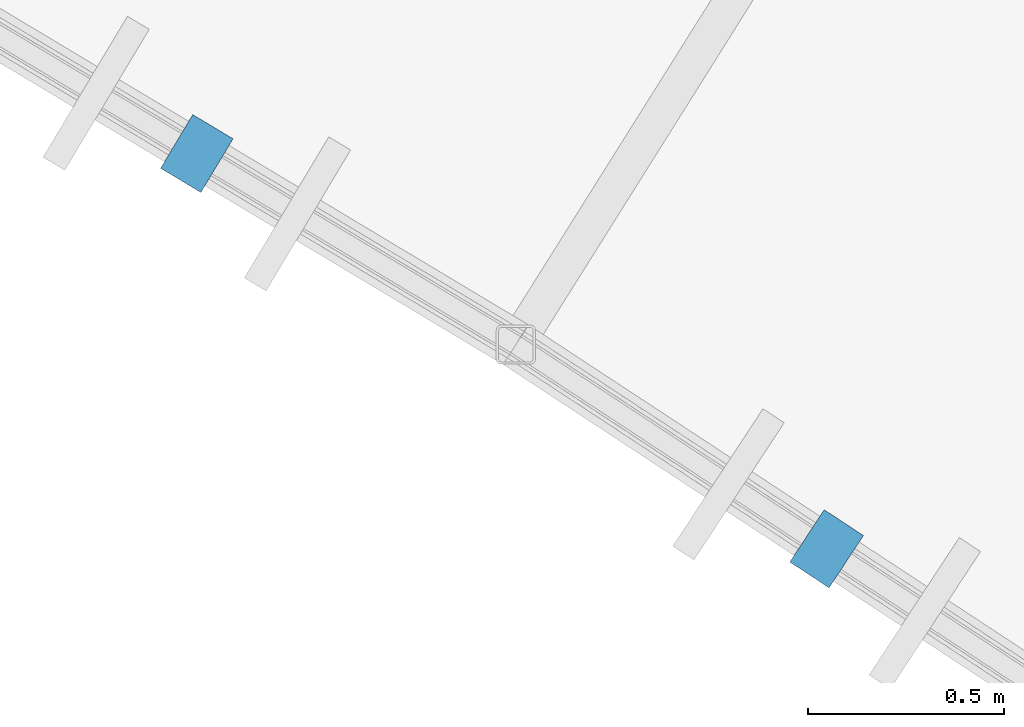
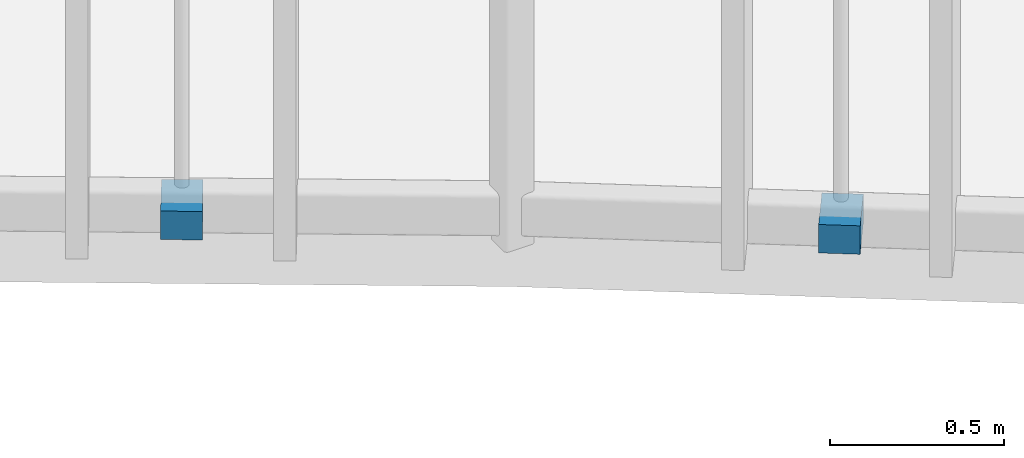
# One storey, part 87 of 100: 2 discrete accessories.
"""IFC4 building model written with IfcOpenShell, lengths in metres."""

from ifc_helpers import new_model, si_unit, direction, frame, origin, origin_2d, place, context, subcontext, project, spatial, rectangle, extrude, material, type_object, element, save


model = new_model("IFC4")

# Units and contexts
model_context = context("Model", 3, precision=1e-05, world=origin(), true_north=direction((0.0, 1.0)))
body_context = subcontext(model_context, "Body", "Model", "MODEL_VIEW")
ifc_project = project(units=[si_unit("LENGTHUNIT", "METRE"), si_unit("AREAUNIT", "SQUARE_METRE"), si_unit("VOLUMEUNIT", "CUBIC_METRE"), si_unit("PLANEANGLEUNIT", "RADIAN"), si_unit("MASSUNIT", "GRAM", prefix="KILO"), si_unit("POWERUNIT", "WATT"), si_unit("THERMODYNAMICTEMPERATUREUNIT", "KELVIN")], contexts=[model_context])

# Site, building, storey
site_placement = place(None, origin())
site = spatial("IfcSite", under=ifc_project, at=site_placement, CompositionType="ELEMENT")
building_placement = place(site_placement, origin())
building = spatial("IfcBuilding", under=site, at=building_placement, Name="Ruvembo Vaulted Housing Court", CompositionType="ELEMENT")
storey_placement = place(building_placement, frame((0.0, 0.0, 14.10009765625)))
storey = spatial("IfcBuildingStorey", under=building, at=storey_placement, Name="L04", CompositionType="ELEMENT", Elevation=14.10009765625)

# Discrete accessories
ifc_material = material(Name="Stainless Steel Grade 316", Category="steel")
discrete_accessory_type = type_object("IfcDiscreteAccessoryType", Name="ACC-BRACKET-SS", PredefinedType="BRACKET", material=ifc_material)
for number, where, z_axis, x_axis, name in (
    (1, (140.528076171875, 89.283203125, 0.02978515625), (0.0, 0.0, 1.0), (-0.513825768915, -0.857894561819, 0.0), "Stainless Louvre Rail Bracket #350"),
    (2, (142.137939453125, 88.27294921875, 0.02978515625), (0.0, 0.0, 1.0), (-0.548964466299, -0.835845688355, 0.0), "Stainless Louvre Rail Bracket #351"),
):
    element("IfcDiscreteAccessory", number, at=place(storey_placement, frame(where, z_axis=z_axis, x_axis=x_axis)), inside=storey, type_object=discrete_accessory_type, Name=name, PredefinedType="BRACKET", context=body_context, shape_type="SweptSolid", body=[
        extrude(rectangle(XDim=0.159912109375, YDim=0.1201171875, at=origin_2d()), origin(), (0.0, 0.0, 1.0), 0.10009765625),
    ])

save(model, "model.ifc")
